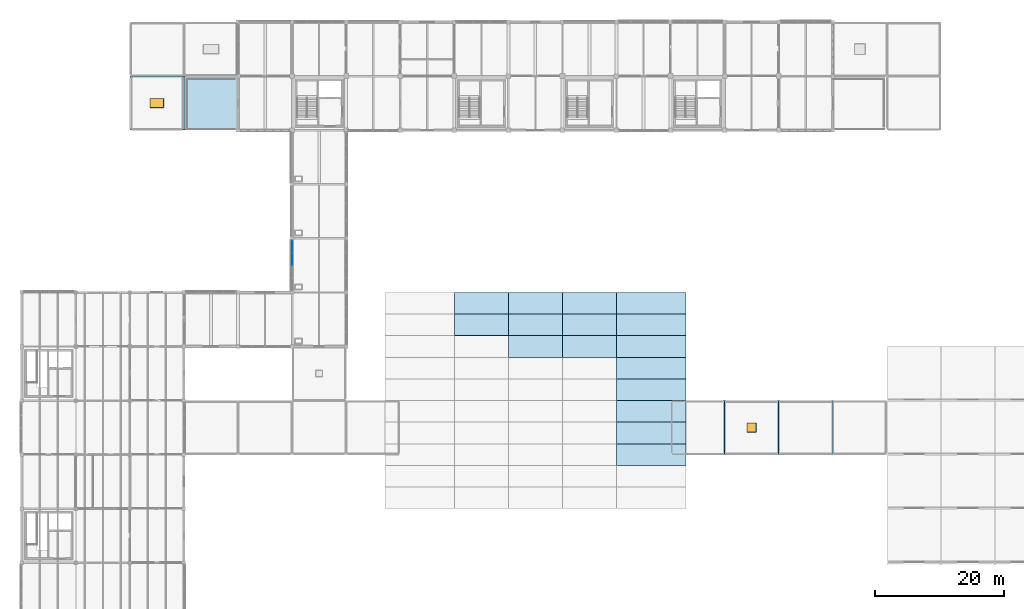
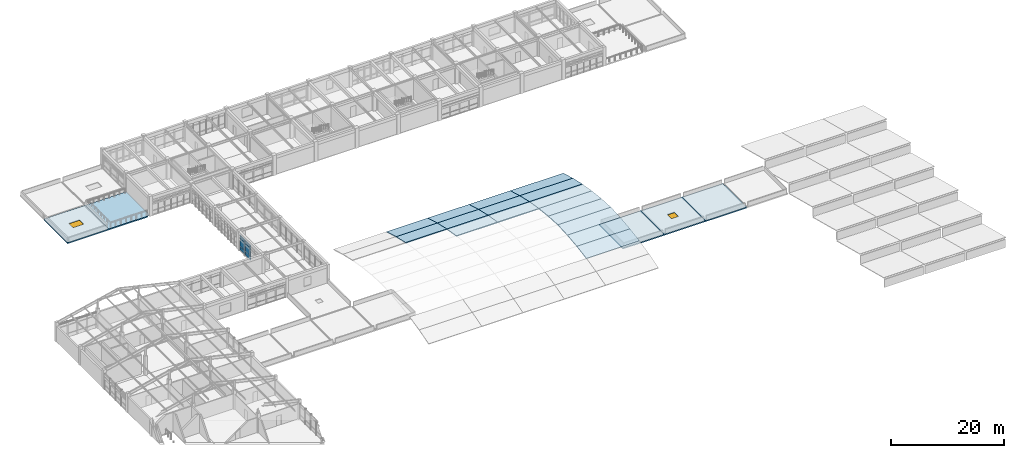
# One storey, part 23 of 40: 21 slabs, 6 plates, 2 windows, 2 openings, 1 element without a shape of its own.
"""IFC4 building model written with IfcOpenShell, lengths in metres."""

from ifc_helpers import new_model, si_unit, direction, frame, origin, origin_2d, place, context, subcontext, project, spatial, polyline, rectangle, outline, extrude, material, layer, layer_set, type_object, element, fill, aggregate, save


model = new_model("IFC4")

# Units and contexts
model_context = context("Model", 3, precision=1e-05, world=origin(), true_north=direction((0.0, 1.0)))
body_context = subcontext(model_context, "Body", "Model", "MODEL_VIEW")
ifc_project = project(units=[si_unit("LENGTHUNIT", "METRE"), si_unit("AREAUNIT", "SQUARE_METRE"), si_unit("VOLUMEUNIT", "CUBIC_METRE"), si_unit("PLANEANGLEUNIT", "RADIAN"), si_unit("MASSUNIT", "GRAM", prefix="KILO")], contexts=[model_context])

# Site, building, storey
site_placement = place(None, origin())
site = spatial("IfcSite", under=ifc_project, at=site_placement, CompositionType="ELEMENT")
building_placement = place(site_placement, origin())
building = spatial("IfcBuilding", under=site, at=building_placement, Name="Porcellanite Civic Hall", CompositionType="ELEMENT")
storey_placement = place(building_placement, frame((0.0, 0.0, 19.080078125)))
storey = spatial("IfcBuildingStorey", under=building, at=storey_placement, Name="L04", CompositionType="ELEMENT", Elevation=19.080078125)

# Curtain wall, plates
ifc_material_1 = material(Name="Anodised aluminium and solar laminated glass", Category="aluminium")
ifc_layer_1 = layer(ifc_material_1, 0.179931640625)
ifc_layer_set_1 = layer_set([ifc_layer_1], Name="Anodised aluminium and solar laminated glass")
curtain_wall_type = type_object("IfcCurtainWallType", Name="CW-SYS04", PredefinedType="NOTDEFINED", material=ifc_layer_set_1)
curtain_wall_placement = place(storey_placement, origin())
curtain_wall = element("IfcCurtainWall", 1, at=curtain_wall_placement, inside=storey, type_object=curtain_wall_type, Name="Curtain wall CW-241", PredefinedType="NOTDEFINED")
ifc_material_2 = material(Name="Cyclone laminated solar-control low-E glass", Category="glass")
ifc_layer_2 = layer(ifc_material_2, 0.02587890625)
ifc_layer_set_2 = layer_set([ifc_layer_2], Name="Cyclone laminated solar-control low-E glass")
plate_type = type_object("IfcPlateType", Name="CWP-02", PredefinedType="CURTAIN_PANEL", material=ifc_layer_set_2)
plate_1_placement = place(storey_placement, frame((50.39990234375, 80.781005859375, 0.054931640625), z_axis=(0.0, 0.0, 1.0), x_axis=(0.0, 1.0, 0.0)))
plate_1 = element("IfcPlate", 2, at=plate_1_placement, type_object=plate_type, Name="CW-241 panel 3.1", PredefinedType="CURTAIN_PANEL", context=body_context, shape_type="SweptSolid", body=[
    extrude(rectangle(XDim=1.886962890625, YDim=0.02587890625, at=origin_2d()), origin(), (0.0, 0.0, 1.0), 0.8173828125),
])
plate_2_placement = place(storey_placement, frame((50.39990234375, 80.781005859375, 0.92724609375), z_axis=(0.0, 0.0, 1.0), x_axis=(0.0, 1.0, 0.0)))
plate_2 = element("IfcPlate", 3, at=plate_2_placement, type_object=plate_type, Name="CW-241 panel 3.2", PredefinedType="CURTAIN_PANEL", context=body_context, shape_type="SweptSolid", body=[
    extrude(rectangle(XDim=1.886962890625, YDim=0.02587890625, at=origin_2d()), origin(), (0.0, 0.0, 1.0), 1.764892578125),
])
plate_3_placement = place(storey_placement, frame((50.39990234375, 80.781005859375, 2.74755859375), z_axis=(0.0, 0.0, 1.0), x_axis=(0.0, 1.0, 0.0)))
plate_3 = element("IfcPlate", 4, at=plate_3_placement, type_object=plate_type, Name="CW-241 panel 3.3", PredefinedType="CURTAIN_PANEL", context=body_context, shape_type="SweptSolid", body=[
    extrude(rectangle(XDim=1.886962890625, YDim=0.02587890625, at=origin_2d()), origin(), (0.0, 0.0, 1.0), 0.5673828125),
])
plate_4_placement = place(storey_placement, frame((50.39990234375, 82.724365234375, 0.054931640625), z_axis=(0.0, 0.0, 1.0), x_axis=(0.0, 1.0, 0.0)))
plate_4 = element("IfcPlate", 5, at=plate_4_placement, type_object=plate_type, Name="CW-241 panel 4.1", PredefinedType="CURTAIN_PANEL", context=body_context, shape_type="SweptSolid", body=[
    extrude(rectangle(XDim=1.849609375, YDim=0.02587890625, at=origin_2d()), origin(), (0.0, 0.0, 1.0), 0.8173828125),
])
plate_5_placement = place(storey_placement, frame((50.39990234375, 82.724365234375, 0.92724609375), z_axis=(0.0, 0.0, 1.0), x_axis=(0.0, 1.0, 0.0)))
plate_5 = element("IfcPlate", 6, at=plate_5_placement, type_object=plate_type, Name="CW-241 panel 4.2", PredefinedType="CURTAIN_PANEL", context=body_context, shape_type="SweptSolid", body=[
    extrude(rectangle(XDim=1.849609375, YDim=0.02587890625, at=origin_2d()), origin(), (0.0, 0.0, 1.0), 1.764892578125),
])
plate_6_placement = place(storey_placement, frame((50.39990234375, 82.724365234375, 2.74755859375), z_axis=(0.0, 0.0, 1.0), x_axis=(0.0, 1.0, 0.0)))
plate_6 = element("IfcPlate", 7, at=plate_6_placement, type_object=plate_type, Name="CW-241 panel 4.3", PredefinedType="CURTAIN_PANEL", context=body_context, shape_type="SweptSolid", body=[
    extrude(rectangle(XDim=1.849609375, YDim=0.02587890625, at=origin_2d()), origin(), (0.0, 0.0, 1.0), 0.5673828125),
])
aggregate(curtain_wall, [plate_1, plate_2, plate_3, plate_4, plate_5, plate_6])

# Slab, opening, window
ifc_material_3 = material(Name="Concrete N40 (40 MPa)", Category="concrete")
ifc_layer_3 = layer(ifc_material_3, 0.25)
ifc_layer_set_3 = layer_set([ifc_layer_3], Name="Concrete N40 (40 MPa)")
slab_type_1 = type_object("IfcSlabType", Name="SL-RF250", PredefinedType="ROOF", material=ifc_layer_set_3)
slab_1_placement = place(storey_placement, frame((0.0, 0.0, -0.25)))
slab_1 = element("IfcSlab", 8, at=slab_1_placement, inside=storey, type_object=slab_type_1, Name="Roof slab L04 4-13", PredefinedType="ROOF", context=body_context, shape_type="SweptSolid", body=[
    extrude(outline(polyline([(25.199951171875, 100.800048828125), (33.60009765625, 100.800048828125), (33.60009765625, 109.199951171875), (25.199951171875, 109.199951171875), (25.199951171875, 100.800048828125)])), origin(), (0.0, 0.0, 1.0), 0.25),
])
opening_1_placement = place(slab_1_placement, frame((29.39990234375, 105.0, 0.0)))
opening_1 = element("IfcOpeningElement", 9, at=opening_1_placement, cuts=slab_1, Name="Opening SK4", PredefinedType="OPENING", context=body_context, shape_type="SweptSolid", body=[
    extrude(rectangle(XDim=2.10009765625, YDim=1.39990234375, at=origin_2d()), origin(), (0.0, 0.0, 1.0), 0.25),
])
ifc_material_4 = material(Name="Cyclone laminated low-E glazing in anodised aluminium frame", Category="aluminium")
window_type_1 = type_object("IfcWindowType", Name="SK-04", PartitioningType="DOUBLE_PANEL_VERTICAL", PredefinedType="SKYLIGHT", material=ifc_material_4)
window_1_placement = place(opening_1_placement, frame((0.0, 0.0, 0.199951171875)))
window_1 = element("IfcWindow", 10, at=window_1_placement, inside=storey, type_object=window_type_1, Name="Roof skylight SK4 L04 4-13", OverallHeight=1.39990234375, OverallWidth=2.10009765625, PartitioningType="SINGLE_PANEL", PredefinedType="SKYLIGHT", context=body_context, shape_type="SweptSolid", body=[
    extrude(rectangle(XDim=2.10009765625, YDim=1.39990234375, at=origin_2d()), origin(), (0.0, 0.0, 1.0), 0.050048828125),
])
fill(opening_1, window_1)

# Slab
slab_2_placement = place(storey_placement, frame((0.0, 0.0, -0.25)))
element("IfcSlab", 11, at=slab_2_placement, inside=storey, type_object=slab_type_1, Name="Roof slab L04 14-7", PredefinedType="ROOF", context=body_context, shape_type="SweptSolid", body=[
    extrude(outline(polyline([(109.199951171875, 50.39990234375), (117.60009765625, 50.39990234375), (117.60009765625, 58.800048828125), (109.199951171875, 58.800048828125), (109.199951171875, 50.39990234375)])), origin(), (0.0, 0.0, 1.0), 0.25),
])

# Slab, opening, window
slab_3_placement = place(storey_placement, frame((0.0, 0.0, -0.25)))
slab_3 = element("IfcSlab", 12, at=slab_3_placement, inside=storey, type_object=slab_type_1, Name="Roof slab L04 15-7", PredefinedType="ROOF", context=body_context, shape_type="SweptSolid", body=[
    extrude(outline(polyline([(117.60009765625, 50.39990234375), (126.0, 50.39990234375), (126.0, 58.800048828125), (117.60009765625, 58.800048828125), (117.60009765625, 50.39990234375)])), origin(), (0.0, 0.0, 1.0), 0.25),
])
opening_2_placement = place(slab_3_placement, frame((121.800048828125, 54.60009765625, 0.0)))
opening_2 = element("IfcOpeningElement", 13, at=opening_2_placement, cuts=slab_3, Name="Opening SK7", PredefinedType="OPENING", context=body_context, shape_type="SweptSolid", body=[
    extrude(rectangle(XDim=1.39990234375, YDim=1.39990234375, at=origin_2d()), origin(), (0.0, 0.0, 1.0), 0.25),
])
ifc_material_5 = material(Name="Cyclone laminated low-E glazing in anodised aluminium frame", Category="aluminium")
window_type_2 = type_object("IfcWindowType", Name="SK-07", PartitioningType="SINGLE_PANEL", PredefinedType="SKYLIGHT", material=ifc_material_5)
window_2_placement = place(opening_2_placement, frame((0.0, 0.0, 0.199951171875)))
window_2 = element("IfcWindow", 14, at=window_2_placement, inside=storey, type_object=window_type_2, Name="Roof skylight SK7 L04 15-7", OverallHeight=1.39990234375, OverallWidth=1.39990234375, PartitioningType="SINGLE_PANEL", PredefinedType="SKYLIGHT", context=body_context, shape_type="SweptSolid", body=[
    extrude(rectangle(XDim=1.39990234375, YDim=1.39990234375, at=origin_2d()), origin(), (0.0, 0.0, 1.0), 0.050048828125),
])
fill(opening_2, window_2)

# Slabs
slab_4_placement = place(storey_placement, frame((0.0, 0.0, -0.25)))
element("IfcSlab", 15, at=slab_4_placement, inside=storey, type_object=slab_type_1, Name="Roof slab L04 16-7", PredefinedType="ROOF", context=body_context, shape_type="SweptSolid", body=[
    extrude(outline(polyline([(126.0, 50.39990234375), (134.39990234375, 50.39990234375), (134.39990234375, 58.800048828125), (126.0, 58.800048828125), (126.0, 50.39990234375)])), origin(), (0.0, 0.0, 1.0), 0.25),
])
ifc_material_6 = material(Name="Concrete N40 (40 MPa)", Category="concrete")
ifc_layer_4 = layer(ifc_material_6, 0.179931640625)
ifc_layer_set_4 = layer_set([ifc_layer_4], Name="Concrete N40 (40 MPa)")
slab_type_2 = type_object("IfcSlabType", Name="SL-SHELL180", PredefinedType="ROOF", material=ifc_layer_set_4)
slab_5_placement = place(storey_placement, frame((75.60009765625, 68.8798828125, 1.726806640625), z_axis=(0.0, 0.221556792682, 0.975147469677), x_axis=(1.0, 0.0, 0.0)))
element("IfcSlab", 16, at=slab_5_placement, inside=storey, type_object=slab_type_2, Name="Council Chamber concrete shell facet 9 9", PredefinedType="ROOF", context=body_context, shape_type="SweptSolid", body=[
    extrude(outline(polyline([(0.0, 0.0), (8.39990234375, 0.0), (8.39990234375, 3.445742850555219), (0.0, 3.445742850555219), (0.0, 0.0)])), origin(), (0.0, 0.0, -1.0), 0.179931640625),
])
slab_6_placement = place(storey_placement, frame((75.60009765625, 72.239990234375, 0.96337890625), z_axis=(0.0, 0.275606587539, 0.961270518067), x_axis=(1.0, 0.0, 0.0)))
element("IfcSlab", 17, at=slab_6_placement, inside=storey, type_object=slab_type_2, Name="Council Chamber concrete shell facet 9 10", PredefinedType="ROOF", context=body_context, shape_type="SweptSolid", body=[
    extrude(outline(polyline([(0.0, 0.0), (8.39990234375, 0.0), (8.39990234375, 3.49548577504571), (0.0, 3.49548577504571), (0.0, 0.0)])), origin(), (0.0, 0.0, -1.0), 0.179931640625),
])
slab_7_placement = place(storey_placement, frame((84.0, 65.52001953125, 2.295166015625), z_axis=(0.0, 0.166791866742, 0.985992126332), x_axis=(1.0, 0.0, 0.0)))
element("IfcSlab", 18, at=slab_7_placement, inside=storey, type_object=slab_type_2, Name="Council Chamber concrete shell facet 10 8", PredefinedType="ROOF", context=body_context, shape_type="SweptSolid", body=[
    extrude(outline(polyline([(0.0, 0.0), (8.39990234375, 0.0), (8.39990234375, 3.4075964620010994), (0.0, 3.4075964620010994), (0.0, 0.0)])), origin(), (0.0, 0.0, -1.0), 0.179931640625),
])
slab_8_placement = place(storey_placement, frame((84.0, 68.8798828125, 1.726806640625), z_axis=(0.0, 0.221556792682, 0.975147469677), x_axis=(1.0, 0.0, 0.0)))
element("IfcSlab", 19, at=slab_8_placement, inside=storey, type_object=slab_type_2, Name="Council Chamber concrete shell facet 10 9", PredefinedType="ROOF", context=body_context, shape_type="SweptSolid", body=[
    extrude(outline(polyline([(0.0, 0.0), (8.39990234375, 0.0), (8.39990234375, 3.445742850555219), (0.0, 3.445742850555219), (0.0, 0.0)])), origin(), (0.0, 0.0, -1.0), 0.179931640625),
])
slab_9_placement = place(storey_placement, frame((84.0, 72.239990234375, 0.96337890625), z_axis=(0.0, 0.275606587539, 0.961270518067), x_axis=(1.0, 0.0, 0.0)))
element("IfcSlab", 20, at=slab_9_placement, inside=storey, type_object=slab_type_2, Name="Council Chamber concrete shell facet 10 10", PredefinedType="ROOF", context=body_context, shape_type="SweptSolid", body=[
    extrude(outline(polyline([(0.0, 0.0), (8.39990234375, 0.0), (8.39990234375, 3.49548577504571), (0.0, 3.49548577504571), (0.0, 0.0)])), origin(), (0.0, 0.0, -1.0), 0.179931640625),
])
slab_10_placement = place(storey_placement, frame((92.39990234375, 65.52001953125, 2.295166015625), z_axis=(0.0, 0.166791866742, 0.985992126332), x_axis=(1.0, 0.0, 0.0)))
element("IfcSlab", 21, at=slab_10_placement, inside=storey, type_object=slab_type_2, Name="Council Chamber concrete shell facet 11 8", PredefinedType="ROOF", context=body_context, shape_type="SweptSolid", body=[
    extrude(outline(polyline([(0.0, 0.0), (8.400146484375, 0.0), (8.400146484375, 3.407596462001099), (0.0, 3.407596462001099), (0.0, 0.0)])), origin(), (0.0, 0.0, -1.0), 0.179931640625),
])
slab_11_placement = place(storey_placement, frame((92.39990234375, 68.8798828125, 1.726806640625), z_axis=(0.0, 0.221556792682, 0.975147469677), x_axis=(1.0, 0.0, 0.0)))
element("IfcSlab", 22, at=slab_11_placement, inside=storey, type_object=slab_type_2, Name="Council Chamber concrete shell facet 11 9", PredefinedType="ROOF", context=body_context, shape_type="SweptSolid", body=[
    extrude(outline(polyline([(0.0, 0.0), (8.400146484375, 0.0), (8.400146484375, 3.445742850555219), (0.0, 3.445742850555219), (0.0, 0.0)])), origin(), (0.0, 0.0, -1.0), 0.179931640625),
])
slab_12_placement = place(storey_placement, frame((92.39990234375, 72.239990234375, 0.96337890625), z_axis=(0.0, 0.275606587539, 0.961270518067), x_axis=(1.0, 0.0, 0.0)))
element("IfcSlab", 23, at=slab_12_placement, inside=storey, type_object=slab_type_2, Name="Council Chamber concrete shell facet 11 10", PredefinedType="ROOF", context=body_context, shape_type="SweptSolid", body=[
    extrude(outline(polyline([(0.0, 0.0), (8.400146484375, 0.0), (8.400146484375, 3.49548577504571), (0.0, 3.49548577504571), (0.0, 0.0)])), origin(), (0.0, 0.0, -1.0), 0.179931640625),
])
slab_13_placement = place(storey_placement, frame((100.800048828125, 48.719970703125, 1.726806640625), z_axis=(0.0, -0.166780084987, 0.985994119278), x_axis=(1.0, 0.0, 0.0)))
element("IfcSlab", 24, at=slab_13_placement, inside=storey, type_object=slab_type_2, Name="Council Chamber concrete shell facet 12 3", PredefinedType="ROOF", context=body_context, shape_type="SweptSolid", body=[
    extrude(outline(polyline([(0.0, 0.0), (10.800048828125, 0.0), (10.800048828125, 3.407837182978355), (0.0, 3.407837182978355), (0.0, 0.0)])), origin(), (0.0, 0.0, -1.0), 0.179931640625),
])
slab_14_placement = place(storey_placement, frame((100.800048828125, 52.080078125, 2.295166015625), z_axis=(0.0, -0.111422176271, 0.993773162565), x_axis=(1.0, 0.0, 0.0)))
element("IfcSlab", 25, at=slab_14_placement, inside=storey, type_object=slab_type_2, Name="Council Chamber concrete shell facet 12 4", PredefinedType="ROOF", context=body_context, shape_type="SweptSolid", body=[
    extrude(outline(polyline([(0.0, 0.0), (10.800048828125, 0.0), (10.800048828125, 3.380915693654733), (0.0, 3.380915693654733), (0.0, 0.0)])), origin(), (0.0, 0.0, -1.0), 0.179931640625),
])
slab_15_placement = place(storey_placement, frame((100.800048828125, 55.43994140625, 2.671875), z_axis=(0.0, -0.055859750157, 0.998438625211), x_axis=(1.0, 0.0, 0.0)))
element("IfcSlab", 26, at=slab_15_placement, inside=storey, type_object=slab_type_2, Name="Council Chamber concrete shell facet 12 5", PredefinedType="ROOF", context=body_context, shape_type="SweptSolid", body=[
    extrude(outline(polyline([(0.0, 0.0), (10.800048828125, 0.0), (10.800048828125, 3.3653620132798174), (0.0, 3.3653620132798174), (0.0, 0.0)])), origin(), (0.0, 0.0, -1.0), 0.179931640625),
])
slab_16_placement = place(storey_placement, frame((100.800048828125, 58.800048828125, 2.85986328125), z_axis=(0.0, 0.055863796475, 0.998438398823), x_axis=(1.0, 0.0, 0.0)))
element("IfcSlab", 27, at=slab_16_placement, inside=storey, type_object=slab_type_2, Name="Council Chamber concrete shell facet 12 6", PredefinedType="ROOF", context=body_context, shape_type="SweptSolid", body=[
    extrude(outline(polyline([(0.0, 0.0), (10.800048828125, 0.0), (10.800048828125, 3.3651182538774687), (0.0, 3.3651182538774687), (0.0, 0.0)])), origin(), (0.0, 0.0, -1.0), 0.179931640625),
])
slab_17_placement = place(storey_placement, frame((100.800048828125, 62.159912109375, 2.671875), z_axis=(0.0, 0.111414180991, 0.993774058966), x_axis=(1.0, 0.0, 0.0)))
element("IfcSlab", 28, at=slab_17_placement, inside=storey, type_object=slab_type_2, Name="Council Chamber concrete shell facet 12 7", PredefinedType="ROOF", context=body_context, shape_type="SweptSolid", body=[
    extrude(outline(polyline([(0.0, 0.0), (10.800048828125, 0.0), (10.800048828125, 3.381158314165178), (0.0, 3.381158314165178), (0.0, 0.0)])), origin(), (0.0, 0.0, -1.0), 0.179931640625),
])
slab_18_placement = place(storey_placement, frame((100.800048828125, 65.52001953125, 2.295166015625), z_axis=(0.0, 0.166791866742, 0.985992126332), x_axis=(1.0, 0.0, 0.0)))
element("IfcSlab", 29, at=slab_18_placement, inside=storey, type_object=slab_type_2, Name="Council Chamber concrete shell facet 12 8", PredefinedType="ROOF", context=body_context, shape_type="SweptSolid", body=[
    extrude(outline(polyline([(0.0, 0.0), (10.800048828125, 0.0), (10.800048828125, 3.4075964620010986), (0.0, 3.4075964620010986), (0.0, 0.0)])), origin(), (0.0, 0.0, -1.0), 0.179931640625),
])
slab_19_placement = place(storey_placement, frame((100.800048828125, 68.8798828125, 1.726806640625), z_axis=(0.0, 0.221556792682, 0.975147469677), x_axis=(1.0, 0.0, 0.0)))
element("IfcSlab", 30, at=slab_19_placement, inside=storey, type_object=slab_type_2, Name="Council Chamber concrete shell facet 12 9", PredefinedType="ROOF", context=body_context, shape_type="SweptSolid", body=[
    extrude(outline(polyline([(0.0, 0.0), (10.800048828125, 0.0), (10.800048828125, 3.4457428505552183), (0.0, 3.4457428505552183), (0.0, 0.0)])), origin(), (0.0, 0.0, -1.0), 0.179931640625),
])
slab_20_placement = place(storey_placement, frame((100.800048828125, 72.239990234375, 0.96337890625), z_axis=(0.0, 0.275606587539, 0.961270518067), x_axis=(1.0, 0.0, 0.0)))
element("IfcSlab", 31, at=slab_20_placement, inside=storey, type_object=slab_type_2, Name="Council Chamber concrete shell facet 12 10", PredefinedType="ROOF", context=body_context, shape_type="SweptSolid", body=[
    extrude(outline(polyline([(0.0, 0.0), (10.800048828125, 0.0), (10.800048828125, 3.4954857750457102), (0.0, 3.4954857750457102), (0.0, 0.0)])), origin(), (0.0, 0.0, -1.0), 0.179931640625),
])
ifc_material_7 = material(Name="Concrete N40 (40 MPa)", Category="concrete")
ifc_layer_5 = layer(ifc_material_7, 0.25)
ifc_layer_set_5 = layer_set([ifc_layer_5], Name="Concrete N40 (40 MPa)")
slab_type_3 = type_object("IfcSlabType", Name="SL-TER250", PredefinedType="FLOOR", material=ifc_layer_set_5)
slab_21_placement = place(storey_placement, frame((0.0, 0.0, -0.25)))
element("IfcSlab", 32, at=slab_21_placement, inside=storey, type_object=slab_type_3, Name="Civic terrace slab L04 5-13", PredefinedType="FLOOR", context=body_context, shape_type="SweptSolid", body=[
    extrude(outline(polyline([(33.60009765625, 100.800048828125), (41.5, 100.800048828125), (42.0, 101.300048828125), (42.0, 109.199951171875), (33.60009765625, 109.199951171875), (33.60009765625, 100.800048828125)])), origin(), (0.0, 0.0, 1.0), 0.25),
])

save(model, "model.ifc")
